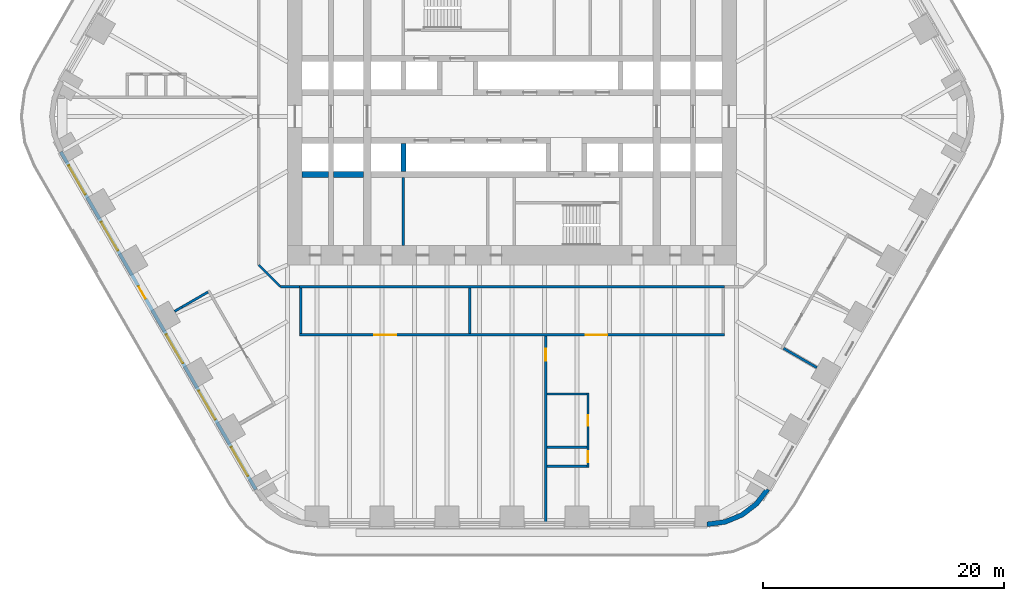
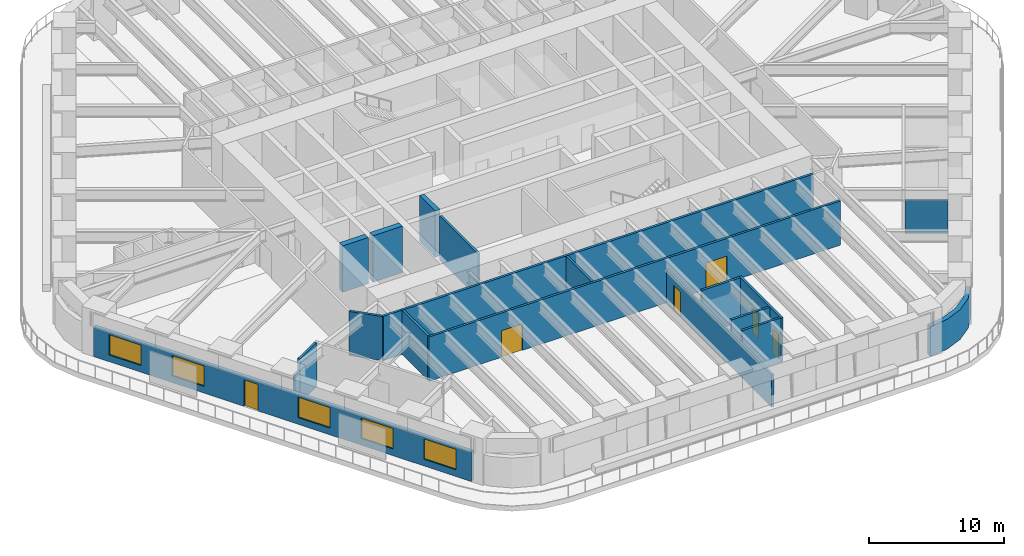
# One storey, part 16 of 23: 20 walls, 6 doors, 5 windows, 11 openings.
"""IFC4 building model written with IfcOpenShell, lengths in metres."""

from ifc_helpers import new_model, si_unit, direction, frame, frame_2d, origin, place, context, subcontext, project, spatial, polyline, rectangle, outline, extrude, material, layer, layer_set, type_object, element, fill, save


model = new_model("IFC4")

# Units and contexts
model_context = context("Model", 3, precision=1e-05, world=origin(), true_north=direction((0.0, 1.0)))
body_context = subcontext(model_context, "Body", "Model", "MODEL_VIEW")
ifc_project = project(units=[si_unit("LENGTHUNIT", "METRE"), si_unit("AREAUNIT", "SQUARE_METRE"), si_unit("VOLUMEUNIT", "CUBIC_METRE"), si_unit("PLANEANGLEUNIT", "RADIAN"), si_unit("MASSUNIT", "GRAM", prefix="KILO")], contexts=[model_context])

# Site, building, storey
site_placement = place(None, origin())
site = spatial("IfcSite", under=ifc_project, at=site_placement, CompositionType="ELEMENT")
building_placement = place(site_placement, origin())
building = spatial("IfcBuilding", under=site, at=building_placement, Name="Tarfa Lantern Tower", CompositionType="ELEMENT")
storey_placement = place(building_placement, frame((0.0, 0.0, 82.300048828125)))
storey = spatial("IfcBuildingStorey", under=building, at=storey_placement, Name="L18", CompositionType="ELEMENT", Elevation=82.300048828125)

# Wall, openings, door, windows
ifc_material_1 = material(Name="Limestone cladding on blockwork", Category="masonry")
ifc_layer_1 = layer(ifc_material_1, 0.300048828125)
ifc_layer_set_1 = layer_set([ifc_layer_1], Name="EW1 STONE-CLAD WALL 300")
wall_type_1 = type_object("IfcWallType", Name="EW1 STONE-CLAD WALL 300", PredefinedType="SOLIDWALL", material=ifc_layer_set_1)
wall_1_placement = place(storey_placement, frame((-37.39794921875, -2.925048828125, 0.0), z_axis=(0.0, 0.0, 1.0), x_axis=(0.499999163675, -0.866025886636, 0.0)))
wall_1 = element("IfcWall", 1, at=wall_1_placement, inside=storey, type_object=wall_type_1, Name="Stone wall SW", PredefinedType="SOLIDWALL", context=body_context, shape_type="SweptSolid", body=[
    extrude(rectangle(XDim=32.33154296875, YDim=0.300048828125, at=frame_2d((16.165771484375, 0.0))), origin(), (0.0, 0.0, 1.0), 2.699951171875),
])
opening_1_placement = place(wall_1_placement, frame((1.3193359375, 0.0, 0.60009765625)))
opening_1 = element("IfcOpeningElement", 2, at=opening_1_placement, cuts=wall_1, Name="Opening W2", PredefinedType="OPENING", context=body_context, shape_type="SweptSolid", body=[
    extrude(rectangle(XDim=2.75, YDim=1.85009765625, at=frame_2d((1.375, 0.925048828125))), frame((0.0, 0.159912109375, 0.0), z_axis=(0.0, -1.0, 0.0), x_axis=(1.0, 0.0, 0.0)), (0.0, 0.0, 1.0), 0.320068359375),
])
opening_2_placement = place(wall_1_placement, frame((6.7080078125, 0.0, 0.60009765625)))
opening_2 = element("IfcOpeningElement", 3, at=opening_2_placement, cuts=wall_1, Name="Opening W2", PredefinedType="OPENING", context=body_context, shape_type="SweptSolid", body=[
    extrude(rectangle(XDim=2.75, YDim=1.85009765625, at=frame_2d((1.375, 0.925048828125))), frame((0.0, 0.159912109375, 0.0), z_axis=(0.0, -1.0, 0.0), x_axis=(1.0, 0.0, 0.0)), (0.0, 0.0, 1.0), 0.320068359375),
])
opening_3_placement = place(wall_1_placement, frame((12.87158203125, 0.0, 0.0)))
opening_3 = element("IfcOpeningElement", 4, at=opening_3_placement, cuts=wall_1, Name="Opening D49", PredefinedType="OPENING", context=body_context, shape_type="SweptSolid", body=[
    extrude(rectangle(XDim=1.199951171875, YDim=2.39990234375, at=frame_2d((0.60009765625, 1.199951171875))), frame((0.0, 0.159912109375, 0.0), z_axis=(0.0, -1.0, 0.0), x_axis=(1.0, 0.0, 0.0)), (0.0, 0.0, 1.0), 0.320068359375),
])
opening_4_placement = place(wall_1_placement, frame((17.485107421875, 0.0, 0.60009765625)))
opening_4 = element("IfcOpeningElement", 5, at=opening_4_placement, cuts=wall_1, Name="Opening W2", PredefinedType="OPENING", context=body_context, shape_type="SweptSolid", body=[
    extrude(rectangle(XDim=2.75, YDim=1.85009765625, at=frame_2d((1.375, 0.925048828125))), frame((0.0, 0.159912109375, 0.0), z_axis=(0.0, -1.0, 0.0), x_axis=(1.0, 0.0, 0.0)), (0.0, 0.0, 1.0), 0.320068359375),
])
opening_5_placement = place(wall_1_placement, frame((22.873779296875, 0.0, 0.60009765625)))
opening_5 = element("IfcOpeningElement", 6, at=opening_5_placement, cuts=wall_1, Name="Opening W2", PredefinedType="OPENING", context=body_context, shape_type="SweptSolid", body=[
    extrude(rectangle(XDim=2.75, YDim=1.85009765625, at=frame_2d((1.375, 0.925048828125))), frame((0.0, 0.159912109375, 0.0), z_axis=(0.0, -1.0, 0.0), x_axis=(1.0, 0.0, 0.0)), (0.0, 0.0, 1.0), 0.320068359375),
])
opening_6_placement = place(wall_1_placement, frame((28.26220703125, 0.0, 0.60009765625)))
opening_6 = element("IfcOpeningElement", 7, at=opening_6_placement, cuts=wall_1, Name="Opening W2", PredefinedType="OPENING", context=body_context, shape_type="SweptSolid", body=[
    extrude(rectangle(XDim=2.75, YDim=1.85009765625, at=frame_2d((1.375, 0.925048828125))), frame((0.0, 0.159912109375, 0.0), z_axis=(0.0, -1.0, 0.0), x_axis=(1.0, 0.0, 0.0)), (0.0, 0.0, 1.0), 0.320068359375),
])
ifc_material_2 = material(Name="Aluminium framed glazed door", Category="aluminium")
door_type_1 = type_object("IfcDoorType", Name="BE3 BALCONY DOOR 1200x2400", OperationType="SINGLE_SWING_RIGHT", PredefinedType="DOOR", material=ifc_material_2)
door_1_placement = place(opening_3_placement, origin())
door_1 = element("IfcDoor", 8, at=door_1_placement, inside=storey, type_object=door_type_1, Name="Balcony door SW", OperationType="SINGLE_SWING_LEFT", OverallHeight=2.39990234375, OverallWidth=1.199951171875, PredefinedType="DOOR", context=body_context, shape_type="SweptSolid", body=[
    extrude(rectangle(XDim=1.199951171875, YDim=2.39990234375, at=frame_2d((0.60009765625, 1.199951171875))), frame((0.0, 0.02490234375, 0.0), z_axis=(0.0, -1.0, 0.0), x_axis=(1.0, 0.0, 0.0)), (0.0, 0.0, 1.0), 0.050048828125),
])
fill(opening_3, door_1)
ifc_material_3 = material(Name="Aluminium frame, double glazed", Category="aluminium")
window_type = type_object("IfcWindowType", Name="W2 FULL-HEIGHT GLAZING 2750x1850", PartitioningType="SINGLE_PANEL", PredefinedType="WINDOW", material=ifc_material_3)
window_1_placement = place(opening_1_placement, origin())
window_1 = element("IfcWindow", 9, at=window_1_placement, inside=storey, type_object=window_type, Name="Window SW 1", OverallHeight=1.85009765625, OverallWidth=2.75, PartitioningType="SINGLE_PANEL", PredefinedType="WINDOW", context=body_context, shape_type="SweptSolid", body=[
    extrude(rectangle(XDim=2.75, YDim=1.85009765625, at=frame_2d((1.375, 0.925048828125))), frame((0.0, 0.030029296875, 0.0), z_axis=(0.0, -1.0, 0.0), x_axis=(1.0, 0.0, 0.0)), (0.0, 0.0, 1.0), 0.06005859375),
])
fill(opening_1, window_1)
window_2_placement = place(opening_2_placement, origin())
window_2 = element("IfcWindow", 10, at=window_2_placement, inside=storey, type_object=window_type, Name="Window SW 2", OverallHeight=1.85009765625, OverallWidth=2.75, PartitioningType="SINGLE_PANEL", PredefinedType="WINDOW", context=body_context, shape_type="SweptSolid", body=[
    extrude(rectangle(XDim=2.75, YDim=1.85009765625, at=frame_2d((1.375, 0.925048828125))), frame((0.0, 0.030029296875, 0.0), z_axis=(0.0, -1.0, 0.0), x_axis=(1.0, 0.0, 0.0)), (0.0, 0.0, 1.0), 0.06005859375),
])
fill(opening_2, window_2)
window_3_placement = place(opening_4_placement, origin())
window_3 = element("IfcWindow", 11, at=window_3_placement, inside=storey, type_object=window_type, Name="Window SW 4", OverallHeight=1.85009765625, OverallWidth=2.75, PartitioningType="SINGLE_PANEL", PredefinedType="WINDOW", context=body_context, shape_type="SweptSolid", body=[
    extrude(rectangle(XDim=2.75, YDim=1.85009765625, at=frame_2d((1.375, 0.925048828125))), frame((0.0, 0.030029296875, 0.0), z_axis=(0.0, -1.0, 0.0), x_axis=(1.0, 0.0, 0.0)), (0.0, 0.0, 1.0), 0.06005859375),
])
fill(opening_4, window_3)
window_4_placement = place(opening_5_placement, origin())
window_4 = element("IfcWindow", 12, at=window_4_placement, inside=storey, type_object=window_type, Name="Window SW 5", OverallHeight=1.85009765625, OverallWidth=2.75, PartitioningType="SINGLE_PANEL", PredefinedType="WINDOW", context=body_context, shape_type="SweptSolid", body=[
    extrude(rectangle(XDim=2.75, YDim=1.85009765625, at=frame_2d((1.375, 0.925048828125))), frame((0.0, 0.030029296875, 0.0), z_axis=(0.0, -1.0, 0.0), x_axis=(1.0, 0.0, 0.0)), (0.0, 0.0, 1.0), 0.06005859375),
])
fill(opening_5, window_4)
window_5_placement = place(opening_6_placement, origin())
window_5 = element("IfcWindow", 13, at=window_5_placement, inside=storey, type_object=window_type, Name="Window SW 6", OverallHeight=1.85009765625, OverallWidth=2.75, PartitioningType="SINGLE_PANEL", PredefinedType="WINDOW", context=body_context, shape_type="SweptSolid", body=[
    extrude(rectangle(XDim=2.75, YDim=1.85009765625, at=frame_2d((1.375, 0.925048828125))), frame((0.0, 0.030029296875, 0.0), z_axis=(0.0, -1.0, 0.0), x_axis=(1.0, 0.0, 0.0)), (0.0, 0.0, 1.0), 0.06005859375),
])
fill(opening_6, window_5)

# Walls
ifc_layer_2 = layer(ifc_material_1, 0.39990234375)
ifc_layer_set_2 = layer_set([ifc_layer_2], Name="EW2 CURVED STONE CORNER 400")
wall_type_2 = type_object("IfcWallType", Name="EW2 CURVED STONE CORNER 400", PredefinedType="SOLIDWALL", material=ifc_layer_set_2)
wall_2_placement = place(storey_placement, origin())
element("IfcWall", 14, at=wall_2_placement, inside=storey, type_object=wall_type_2, Name="Stone corner S-SE", PredefinedType="SOLIDWALL", context=body_context, shape_type="SweptSolid", body=[
    extrude(outline(polyline([(16.165771484375, -34.0), (17.71875, -33.795654296875), (19.165771484375, -33.196044921875), (20.408447265625, -32.24267578125), (21.362060546875, -31.0), (21.015625, -30.800048828125), (20.12548828125, -31.959716796875), (18.9658203125, -32.849853515625), (17.615234375, -33.4091796875), (16.165771484375, -33.60009765625), (16.165771484375, -34.0)])), origin(), (0.0, 0.0, 1.0), 2.699951171875),
])
ifc_material_4 = material(Name="Concrete blockwork", Category="masonry")
ifc_layer_3 = layer(ifc_material_4, 0.199951171875)
ifc_layer_set_3 = layer_set([ifc_layer_3], Name="IW1 BLOCKWORK PARTITION 200 EI 120")
wall_type_3 = type_object("IfcWallType", Name="IW1 BLOCKWORK PARTITION 200 EI 120", PredefinedType="PARTITIONING", material=ifc_layer_set_3)
wall_3_placement = place(storey_placement, frame((-9.0, -5.050048828125, 0.0), z_axis=(0.0, 0.0, 1.0), x_axis=(0.0, -1.0, 0.0)))
element("IfcWall", 15, at=wall_3_placement, inside=storey, type_object=wall_type_3, Name="Core partition", PredefinedType="PARTITIONING", context=body_context, shape_type="SweptSolid", body=[
    extrude(rectangle(XDim=5.64990234375, YDim=0.199951171875, at=frame_2d((2.824951171875, 0.0))), origin(), (0.0, 0.0, 1.0), 4.0),
])
ifc_material_5 = material(Name="Gypsum board on steel studs", Category="steel")
ifc_layer_4 = layer(ifc_material_5, 0.2099609375)
ifc_layer_set_4 = layer_set([ifc_layer_4], Name="IW2 ACOUSTIC PARTITION 200")
wall_type_4 = type_object("IfcWallType", Name="IW2 ACOUSTIC PARTITION 200", PredefinedType="PARTITIONING", material=ifc_layer_set_4)
wall_4_placement = place(storey_placement, frame((17.60009765625, -14.10009765625, 0.0), z_axis=(0.0, 0.0, 1.0), x_axis=(-1.0, 0.0, 0.0)))
element("IfcWall", 16, at=wall_4_placement, inside=storey, type_object=wall_type_4, Name="Partition", PredefinedType="PARTITIONING", context=body_context, shape_type="SweptSolid", body=[
    extrude(rectangle(XDim=35.2001953125, YDim=0.199951171875, at=frame_2d((17.60009765625, 0.0))), origin(), (0.0, 0.0, 1.0), 4.0),
])

# Wall, openings, doors
wall_5_placement = place(storey_placement, frame((17.60009765625, -18.10009765625, 0.0), z_axis=(0.0, 0.0, 1.0), x_axis=(-1.0, 0.0, 0.0)))
wall_5 = element("IfcWall", 17, at=wall_5_placement, inside=storey, type_object=wall_type_4, Name="Partition", PredefinedType="PARTITIONING", context=body_context, shape_type="SweptSolid", body=[
    extrude(rectangle(XDim=35.2001953125, YDim=0.199951171875, at=frame_2d((17.60009765625, 0.0))), origin(), (0.0, 0.0, 1.0), 4.0),
])
opening_7_placement = place(wall_5_placement, frame((9.699951171875, 0.0, 0.0)))
opening_7 = element("IfcOpeningElement", 18, at=opening_7_placement, cuts=wall_5, Name="Opening D35", PredefinedType="OPENING", context=body_context, shape_type="SweptSolid", body=[
    extrude(rectangle(XDim=1.800048828125, YDim=2.39990234375, at=frame_2d((0.89990234375, 1.199951171875))), frame((0.0, 0.10986328125, 0.0), z_axis=(0.0, -1.0, 0.0), x_axis=(1.0, 0.0, 0.0)), (0.0, 0.0, 1.0), 0.219970703125),
])
opening_8_placement = place(wall_5_placement, frame((27.199951171875, 0.0, 0.0)))
opening_8 = element("IfcOpeningElement", 19, at=opening_8_placement, cuts=wall_5, Name="Opening D36", PredefinedType="OPENING", context=body_context, shape_type="SweptSolid", body=[
    extrude(rectangle(XDim=1.800048828125, YDim=2.39990234375, at=frame_2d((0.89990234375, 1.199951171875))), frame((0.0, 0.10986328125, 0.0), z_axis=(0.0, -1.0, 0.0), x_axis=(1.0, 0.0, 0.0)), (0.0, 0.0, 1.0), 0.219970703125),
])
ifc_material_6 = material(Name="Timber door", Category="wood")
door_type_2 = type_object("IfcDoorType", Name="DR2 ROOM DOOR 1800x2400", OperationType="DOUBLE_DOOR_SINGLE_SWING", PredefinedType="DOOR", material=ifc_material_6)
door_2_placement = place(opening_7_placement, frame((1.800048828125, 0.0, 0.0), z_axis=(0.0, 0.0, 1.0), x_axis=(-1.0, 0.0, 0.0)))
door_2 = element("IfcDoor", 20, at=door_2_placement, inside=storey, type_object=door_type_2, Name="File room door", OperationType="DOUBLE_DOOR_SINGLE_SWING", OverallHeight=2.39990234375, OverallWidth=1.800048828125, PredefinedType="DOOR", context=body_context, shape_type="SweptSolid", body=[
    extrude(rectangle(XDim=1.800048828125, YDim=2.39990234375, at=frame_2d((0.89990234375, 1.199951171875))), frame((0.0, 0.02490234375, 0.0), z_axis=(0.0, -1.0, 0.0), x_axis=(1.0, 0.0, 0.0)), (0.0, 0.0, 1.0), 0.050048828125),
])
fill(opening_7, door_2)
door_3_placement = place(opening_8_placement, frame((1.800048828125, 0.0, 0.0), z_axis=(0.0, 0.0, 1.0), x_axis=(-1.0, 0.0, 0.0)))
door_3 = element("IfcDoor", 21, at=door_3_placement, inside=storey, type_object=door_type_2, Name="Print room door", OperationType="DOUBLE_DOOR_SINGLE_SWING", OverallHeight=2.39990234375, OverallWidth=1.800048828125, PredefinedType="DOOR", context=body_context, shape_type="SweptSolid", body=[
    extrude(rectangle(XDim=1.800048828125, YDim=2.39990234375, at=frame_2d((0.89990234375, 1.199951171875))), frame((0.0, 0.02490234375, 0.0), z_axis=(0.0, -1.0, 0.0), x_axis=(1.0, 0.0, 0.0)), (0.0, 0.0, 1.0), 0.050048828125),
])
fill(opening_8, door_3)

# Walls
for number, where, z_axis, x_axis, name in (
    (22, (-3.5, -14.199951171875, 0.0), (0.0, 0.0, 1.0), (0.0, -1.0, 0.0), "Partition"),
    (23, (-17.5, -14.199951171875, 0.0), (0.0, 0.0, 1.0), (0.0, -1.0, 0.0), "Partition"),
):
    element("IfcWall", number, at=place(storey_placement, frame(where, z_axis=z_axis, x_axis=x_axis)), inside=storey, type_object=wall_type_4, Name=name, PredefinedType="PARTITIONING", context=body_context, shape_type="SweptSolid", body=[
        extrude(rectangle(XDim=3.800048828125, YDim=0.199951171875, at=frame_2d((1.89990234375, 0.0))), origin(), (0.0, 0.0, 1.0), 4.0),
    ])
wall_6_placement = place(storey_placement, frame((22.507080078125, -19.216552734375, 0.0), z_axis=(0.0, 0.0, 1.0), x_axis=(0.866008981251, -0.500028443584, 0.0)))
element("IfcWall", 24, at=wall_6_placement, inside=storey, type_object=wall_type_4, Name="Partition", PredefinedType="PARTITIONING", context=body_context, shape_type="SweptSolid", body=[
    extrude(rectangle(XDim=3.199951171875, YDim=0.199951171875, at=frame_2d((1.60009765625, 0.0))), origin(), (0.0, 0.0, 1.0), 2.991943359375),
])
wall_7_placement = place(storey_placement, frame((-25.201416015625, -14.550048828125, 0.0), z_axis=(0.0, 0.0, 1.0), x_axis=(-0.866020232408, -0.500008956979, 0.0)))
element("IfcWall", 25, at=wall_7_placement, inside=storey, type_object=wall_type_4, Name="Partition", PredefinedType="PARTITIONING", context=body_context, shape_type="SweptSolid", body=[
    extrude(rectangle(XDim=2.4833984375, YDim=0.199951171875, at=frame_2d((1.24169921875, 0.0))), origin(), (0.0, 0.0, 1.0), 4.0),
])
wall_8_placement = place(storey_placement, frame((-27.35205078125, -15.791748046875, 0.0), z_axis=(0.0, 0.0, 1.0), x_axis=(-0.866117509073, -0.499840435016, 0.0)))
element("IfcWall", 26, at=wall_8_placement, inside=storey, type_object=wall_type_4, Name="Partition", PredefinedType="PARTITIONING", context=body_context, shape_type="SweptSolid", body=[
    extrude(rectangle(XDim=0.716552734375, YDim=0.199951171875, at=frame_2d((0.3583984375, 0.0))), origin(), (0.0, 0.0, 1.0), 2.991943359375),
])
wall_9_placement = place(storey_placement, frame((-17.60009765625, -14.10009765625, 0.0), z_axis=(0.0, 0.0, 1.0), x_axis=(-1.0, 0.0, 0.0)))
element("IfcWall", 27, at=wall_9_placement, inside=storey, type_object=wall_type_4, Name="Partition", PredefinedType="PARTITIONING", context=body_context, shape_type="SweptSolid", body=[
    extrude(rectangle(XDim=1.599853515625, YDim=0.199951171875, at=frame_2d((0.7998046875, 0.0))), origin(), (0.0, 0.0, 1.0), 4.0),
])
wall_10_placement = place(storey_placement, frame((-19.199951171875, -14.10009765625, 0.0), z_axis=(0.0, 0.0, 1.0), x_axis=(-0.707106781187, 0.707106781187, 0.0)))
element("IfcWall", 28, at=wall_10_placement, inside=storey, type_object=wall_type_4, Name="Partition", PredefinedType="PARTITIONING", context=body_context, shape_type="SweptSolid", body=[
    extrude(rectangle(XDim=2.545654296875, YDim=0.199951171875, at=frame_2d((1.27294921875, 0.0))), origin(), (0.0, 0.0, 1.0), 4.0),
])

# Wall, opening, door
wall_11_placement = place(storey_placement, frame((2.800048828125, -18.199951171875, 0.0), z_axis=(0.0, 0.0, 1.0), x_axis=(0.0, -1.0, 0.0)))
wall_11 = element("IfcWall", 29, at=wall_11_placement, inside=storey, type_object=wall_type_4, Name="Partition", PredefinedType="PARTITIONING", context=body_context, shape_type="SweptSolid", body=[
    extrude(rectangle(XDim=15.60009765625, YDim=0.199951171875, at=frame_2d((7.800048828125, 0.0))), origin(), (0.0, 0.0, 1.0), 2.94384765625),
])
opening_9_placement = place(wall_11_placement, frame((1.06005859375, 0.0, 0.0)))
opening_9 = element("IfcOpeningElement", 30, at=opening_9_placement, cuts=wall_11, Name="Opening D45", PredefinedType="OPENING", context=body_context, shape_type="SweptSolid", body=[
    extrude(rectangle(XDim=1.0, YDim=2.199951171875, at=frame_2d((0.5, 1.10009765625))), frame((0.0, 0.10986328125, 0.0), z_axis=(0.0, -1.0, 0.0), x_axis=(1.0, 0.0, 0.0)), (0.0, 0.0, 1.0), 0.219970703125),
])
door_type_3 = type_object("IfcDoorType", Name="DR1 ROOM DOOR 1000x2200", OperationType="SINGLE_SWING_LEFT", PredefinedType="DOOR", material=ifc_material_6)
door_4_placement = place(opening_9_placement, frame((1.0, 0.0, 0.0), z_axis=(0.0, 0.0, 1.0), x_axis=(-1.0, 0.0, 0.0)))
door_4 = element("IfcDoor", 31, at=door_4_placement, inside=storey, type_object=door_type_3, Name="Zone door", OperationType="SINGLE_SWING_LEFT", OverallHeight=2.199951171875, OverallWidth=1.0, PredefinedType="DOOR", context=body_context, shape_type="SweptSolid", body=[
    extrude(rectangle(XDim=1.0, YDim=2.199951171875, at=frame_2d((0.5, 1.10009765625))), frame((0.0, 0.02490234375, 0.0), z_axis=(0.0, -1.0, 0.0), x_axis=(1.0, 0.0, 0.0)), (0.0, 0.0, 1.0), 0.050048828125),
])
fill(opening_9, door_4)

# Wall, openings, doors
wall_12_placement = place(storey_placement, frame((6.300048828125, -22.89990234375, 0.0), z_axis=(0.0, 0.0, 1.0), x_axis=(0.0, -1.0, 0.0)))
wall_12 = element("IfcWall", 32, at=wall_12_placement, inside=storey, type_object=wall_type_4, Name="Partition", PredefinedType="PARTITIONING", context=body_context, shape_type="SweptSolid", body=[
    extrude(rectangle(XDim=6.2001953125, YDim=0.199951171875, at=frame_2d((3.10009765625, 0.0))), origin(), (0.0, 0.0, 1.0), 4.0),
])
opening_10_placement = place(wall_12_placement, frame((1.85009765625, 0.0, 0.0)))
opening_10 = element("IfcOpeningElement", 33, at=opening_10_placement, cuts=wall_12, Name="Opening D37", PredefinedType="OPENING", context=body_context, shape_type="SweptSolid", body=[
    extrude(rectangle(XDim=0.89990234375, YDim=2.199951171875, at=frame_2d((0.449951171875, 1.10009765625))), frame((0.0, 0.10986328125, 0.0), z_axis=(0.0, -1.0, 0.0), x_axis=(1.0, 0.0, 0.0)), (0.0, 0.0, 1.0), 0.219970703125),
])
opening_11_placement = place(wall_12_placement, frame((4.85009765625, 0.0, 0.0)))
opening_11 = element("IfcOpeningElement", 34, at=opening_11_placement, cuts=wall_12, Name="Opening D38", PredefinedType="OPENING", context=body_context, shape_type="SweptSolid", body=[
    extrude(rectangle(XDim=0.89990234375, YDim=2.199951171875, at=frame_2d((0.449951171875, 1.10009765625))), frame((0.0, 0.10986328125, 0.0), z_axis=(0.0, -1.0, 0.0), x_axis=(1.0, 0.0, 0.0)), (0.0, 0.0, 1.0), 0.219970703125),
])
door_type_4 = type_object("IfcDoorType", Name="DR3 ROOM DOOR 900x2200", OperationType="SINGLE_SWING_LEFT", PredefinedType="DOOR", material=ifc_material_6)
door_5_placement = place(opening_10_placement, frame((0.89990234375, 0.0, 0.0), z_axis=(0.0, 0.0, 1.0), x_axis=(-1.0, 0.0, 0.0)))
door_5 = element("IfcDoor", 35, at=door_5_placement, inside=storey, type_object=door_type_4, Name="Meeting room door", OperationType="SINGLE_SWING_LEFT", OverallHeight=2.199951171875, OverallWidth=0.89990234375, PredefinedType="DOOR", context=body_context, shape_type="SweptSolid", body=[
    extrude(rectangle(XDim=0.89990234375, YDim=2.199951171875, at=frame_2d((0.449951171875, 1.10009765625))), frame((0.0, 0.02490234375, 0.0), z_axis=(0.0, -1.0, 0.0), x_axis=(1.0, 0.0, 0.0)), (0.0, 0.0, 1.0), 0.050048828125),
])
fill(opening_10, door_5)
door_6_placement = place(opening_11_placement, frame((0.89990234375, 0.0, 0.0), z_axis=(0.0, 0.0, 1.0), x_axis=(-1.0, 0.0, 0.0)))
door_6 = element("IfcDoor", 36, at=door_6_placement, inside=storey, type_object=door_type_4, Name="Phone booth door", OperationType="SINGLE_SWING_RIGHT", OverallHeight=2.199951171875, OverallWidth=0.89990234375, PredefinedType="DOOR", context=body_context, shape_type="SweptSolid", body=[
    extrude(rectangle(XDim=0.89990234375, YDim=2.199951171875, at=frame_2d((0.449951171875, 1.10009765625))), frame((0.0, 0.02490234375, 0.0), z_axis=(0.0, -1.0, 0.0), x_axis=(1.0, 0.0, 0.0)), (0.0, 0.0, 1.0), 0.050048828125),
])
fill(opening_11, door_6)

# Walls
for number, where, z_axis, x_axis, name in (
    (37, (2.89990234375, -23.0, 0.0), (0.0, 0.0, 1.0), (1.0, 0.0, 0.0), "Partition"),
    (38, (2.89990234375, -27.39990234375, 0.0), (0.0, 0.0, 1.0), (1.0, 0.0, 0.0), "Partition"),
    (39, (2.89990234375, -29.0, 0.0), (0.0, 0.0, 1.0), (1.0, 0.0, 0.0), "Partition"),
):
    element("IfcWall", number, at=place(storey_placement, frame(where, z_axis=z_axis, x_axis=x_axis)), inside=storey, type_object=wall_type_4, Name=name, PredefinedType="PARTITIONING", context=body_context, shape_type="SweptSolid", body=[
        extrude(rectangle(XDim=3.300048828125, YDim=0.199951171875, at=frame_2d((1.64990234375, 0.0))), origin(), (0.0, 0.0, 1.0), 4.0),
    ])
ifc_material_7 = material(Name="Concrete C80/95", Category="concrete")
ifc_layer_5 = layer(ifc_material_7, 0.5)
ifc_layer_set_5 = layer_set([ifc_layer_5], Name="SW5 CORE WALL 500")
wall_type_5 = type_object("IfcWallType", Name="SW5 CORE WALL 500", PredefinedType="SHEAR", material=ifc_layer_set_5)
wall_13_placement = place(storey_placement, frame((-12.300048828125, -4.800048828125, 0.0), z_axis=(0.0, 0.0, 1.0), x_axis=(-1.0, 0.0, 0.0)))
element("IfcWall", 40, at=wall_13_placement, inside=storey, type_object=wall_type_5, Name="Core wall rear S", PredefinedType="SHEAR", context=body_context, shape_type="SweptSolid", body=[
    extrude(rectangle(XDim=2.5, YDim=0.5, at=frame_2d((1.25, 0.0))), origin(), (0.0, 0.0, 1.0), 4.199951171875),
])
wall_14_placement = place(storey_placement, frame((-15.199951171875, -4.800048828125, 0.0), z_axis=(0.0, 0.0, 1.0), x_axis=(-1.0, 0.0, 0.0)))
element("IfcWall", 41, at=wall_14_placement, inside=storey, type_object=wall_type_5, Name="Core wall rear S", PredefinedType="SHEAR", context=body_context, shape_type="SweptSolid", body=[
    extrude(rectangle(XDim=2.199951171875, YDim=0.5, at=frame_2d((1.10009765625, 0.0))), origin(), (0.0, 0.0, 1.0), 4.199951171875),
])
ifc_layer_6 = layer(ifc_material_7, 0.39990234375)
ifc_layer_set_6 = layer_set([ifc_layer_6], Name="SW6 CORE WALL 400")
wall_type_6 = type_object("IfcWallType", Name="SW6 CORE WALL 400", PredefinedType="SHEAR", material=ifc_layer_set_6)
wall_15_placement = place(storey_placement, frame((-9.0, -2.25, 0.0), z_axis=(0.0, 0.0, 1.0), x_axis=(0.0, -1.0, 0.0)))
element("IfcWall", 42, at=wall_15_placement, inside=storey, type_object=wall_type_6, Name="Core wall divider S", PredefinedType="SHEAR", context=body_context, shape_type="SweptSolid", body=[
    extrude(rectangle(XDim=2.300048828125, YDim=0.39990234375, at=frame_2d((1.14990234375, 0.0))), origin(), (0.0, 0.0, 1.0), 4.199951171875),
])

save(model, "model.ifc")
